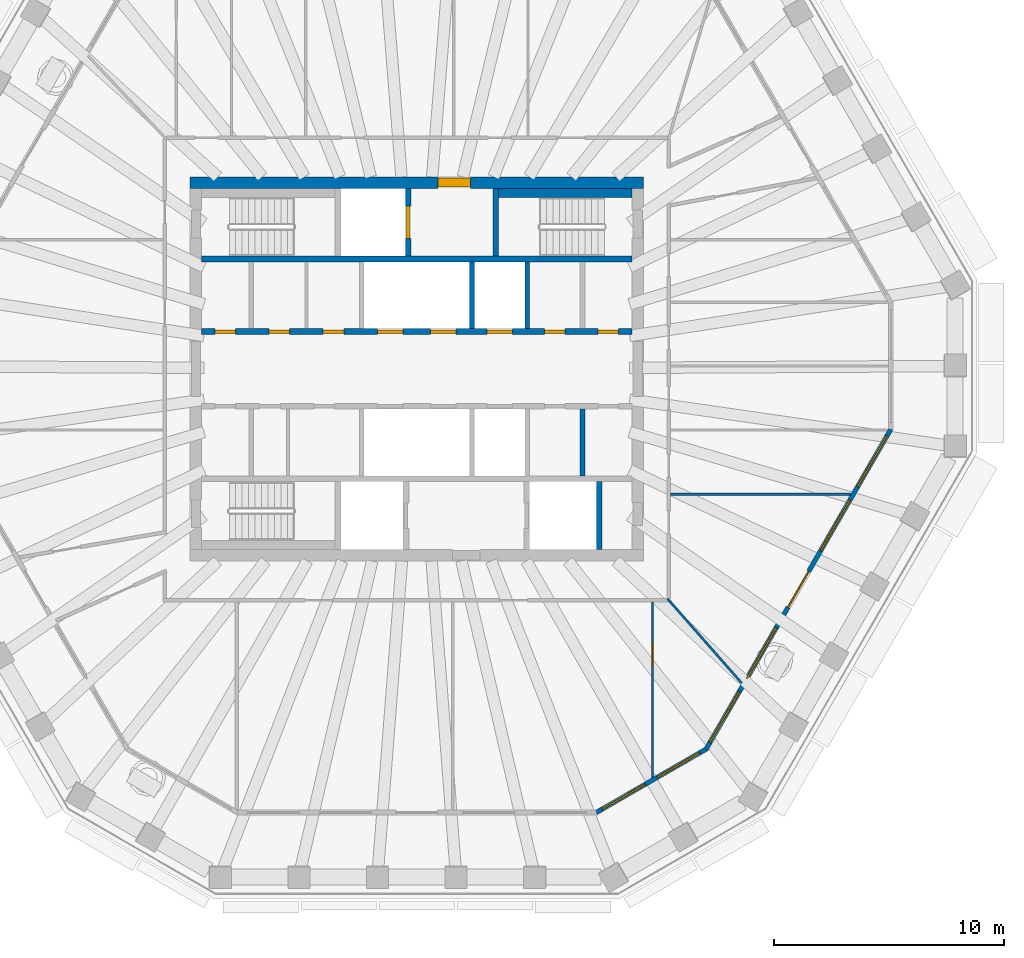
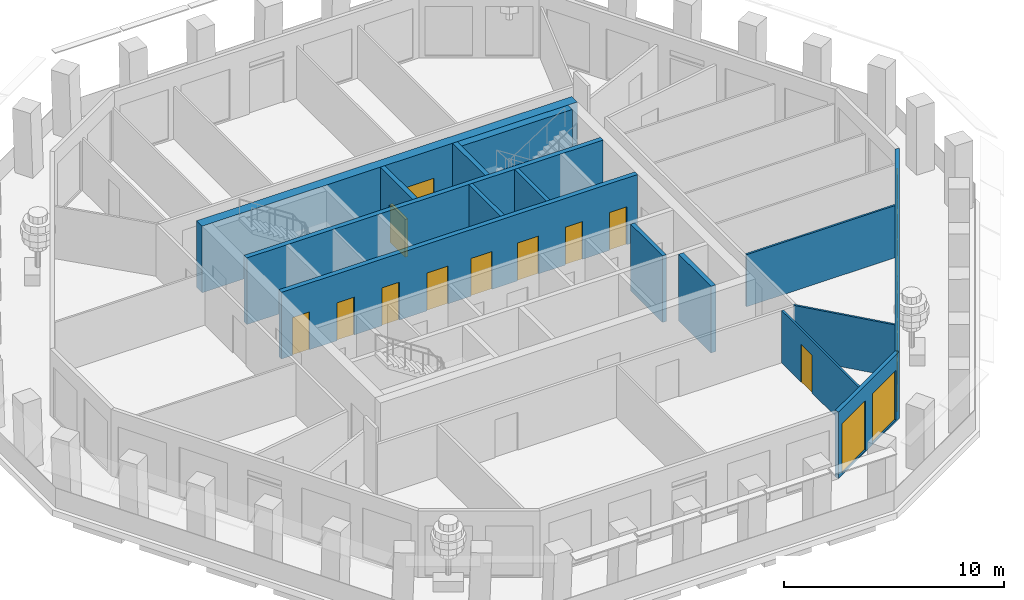
# One storey, part 5 of 12: 15 walls, 12 doors, 7 windows, 19 openings.
"""IFC4 building model written with IfcOpenShell, lengths in metres."""

from ifc_helpers import new_model, si_unit, direction, frame, frame_2d, origin, place, context, subcontext, project, spatial, polyline, rectangle, outline, extrude, material, layer, layer_set, type_object, element, fill, save


model = new_model("IFC4")

# Units and contexts
model_context = context("Model", 3, precision=1e-05, world=origin(), true_north=direction((0.0, 1.0)))
body_context = subcontext(model_context, "Body", "Model", "MODEL_VIEW")
ifc_project = project(units=[si_unit("LENGTHUNIT", "METRE"), si_unit("AREAUNIT", "SQUARE_METRE"), si_unit("VOLUMEUNIT", "CUBIC_METRE"), si_unit("PLANEANGLEUNIT", "RADIAN"), si_unit("MASSUNIT", "GRAM", prefix="KILO")], contexts=[model_context])

# Site, building, storey
site_placement = place(None, origin())
site = spatial("IfcSite", under=ifc_project, at=site_placement, CompositionType="ELEMENT")
building_placement = place(site_placement, origin())
building = spatial("IfcBuilding", under=site, at=building_placement, Name="Frailejon Research Tower", CompositionType="ELEMENT")
storey_placement = place(building_placement, frame((0.0, 0.0, 267.0)))
storey = spatial("IfcBuildingStorey", under=building, at=storey_placement, Name="L58", CompositionType="ELEMENT", Elevation=267.0)

# Wall, opening, door
ifc_material_1 = material(Name="Concrete C50/60", Category="concrete")
ifc_layer_1 = layer(ifc_material_1, 0.5)
ifc_layer_set_1 = layer_set([ifc_layer_1], Name="Core shear wall 500 C50/60")
wall_type_1 = type_object("IfcWallType", Name="Core shear wall 500 C50/60", PredefinedType="SHEAR", material=ifc_layer_set_1)
wall_1_placement = place(storey_placement, frame((-9.85009765625, 8.10009765625, 0.0), z_axis=(0.0, 0.0, 1.0), x_axis=(1.0, 0.0, 0.0)))
wall_1 = element("IfcWall", 1, at=wall_1_placement, inside=storey, type_object=wall_type_1, Name="Core shear wall", PredefinedType="SHEAR", context=body_context, shape_type="SweptSolid", body=[
    extrude(rectangle(XDim=19.7001953125, YDim=0.5, at=frame_2d((9.85009765625, 0.0))), origin(), (0.0, 0.0, 1.0), 3.699951171875),
])
opening_1_placement = place(wall_1_placement, frame((10.77490234375, 0.0, 0.0)))
opening_1 = element("IfcOpeningElement", 2, at=opening_1_placement, cuts=wall_1, Name="Opening D9", PredefinedType="OPENING", context=body_context, shape_type="SweptSolid", body=[
    extrude(rectangle(XDim=1.39990234375, YDim=2.10009765625, at=frame_2d((0.699951171875, 1.050048828125))), frame((0.0, 0.260009765625, 0.0), z_axis=(0.0, -1.0, 0.0), x_axis=(1.0, 0.0, 0.0)), (0.0, 0.0, 1.0), 0.52001953125),
])
ifc_material_2 = material(Name="Steel", Category="steel")
door_type_1 = type_object("IfcDoorType", Name="Goods lobby door", OperationType="DOUBLE_DOOR_SINGLE_SWING", PredefinedType="DOOR", material=ifc_material_2)
door_1_placement = place(opening_1_placement, origin())
door_1 = element("IfcDoor", 3, at=door_1_placement, inside=storey, type_object=door_type_1, Name="Goods lobby door", OperationType="DOUBLE_DOOR_SINGLE_SWING", OverallHeight=2.10009765625, OverallWidth=1.39990234375, PredefinedType="DOOR", context=body_context, shape_type="SweptSolid", body=[
    extrude(rectangle(XDim=1.39990234375, YDim=2.10009765625, at=frame_2d((0.699951171875, 1.050048828125))), frame((0.0, 0.199951171875, 0.0), z_axis=(0.0, -1.0, 0.0), x_axis=(1.0, 0.0, 0.0)), (0.0, 0.0, 1.0), 0.39990234375),
])
fill(opening_1, door_1)

ifc_material_3 = material(Name="Gypsum board and masonry partition", Category="masonry")
ifc_layer_2 = layer(ifc_material_3, 0.10009765625)
ifc_layer_set_2 = layer_set([ifc_layer_2], Name="Partition, gypsum on steel studs 100")
wall_type_2 = type_object("IfcWallType", Name="Partition, gypsum on steel studs 100", PredefinedType="PARTITIONING", material=ifc_layer_set_2)
wall_2_placement = place(storey_placement, frame((10.2392578125, -17.755615234375, 0.0), z_axis=(0.0, 0.0, 1.0), x_axis=(0.0, 1.0, 0.0)))
wall_2 = element("IfcWall", 4, at=wall_2_placement, inside=storey, type_object=wall_type_2, Name="T:IW:L58:026", PredefinedType="PARTITIONING", context=body_context, shape_type="SweptSolid", body=[
    extrude(rectangle(XDim=7.630615234375, YDim=0.10009765625, at=frame_2d((3.8154296875, 0.0))), origin(), (0.0, 0.0, 1.0), 2.89990234375),
])
opening_2_placement = place(wall_2_placement, frame((4.85400390625, 0.0, 0.0)))
opening_2 = element("IfcOpeningElement", 5, at=opening_2_placement, cuts=wall_2, Name="Opening D2127", PredefinedType="OPENING", context=body_context, shape_type="SweptSolid", body=[
    extrude(rectangle(XDim=1.0, YDim=2.10009765625, at=frame_2d((0.5, 1.050048828125))), frame((0.0, 0.06005859375, 0.0), z_axis=(0.0, -1.0, 0.0), x_axis=(1.0, 0.0, 0.0)), (0.0, 0.0, 1.0), 0.1201171875),
])
ifc_material_4 = material(Name="Timber door leaf", Category="wood")
door_type_2 = type_object("IfcDoorType", Name="Door single leaf, timber, steel frame 1000", OperationType="NOTDEFINED", PredefinedType="DOOR", material=ifc_material_4)
door_2_placement = place(opening_2_placement, origin())
door_2 = element("IfcDoor", 6, at=door_2_placement, inside=storey, type_object=door_type_2, Name="D2127", OperationType="SINGLE_SWING_RIGHT", OverallHeight=2.10009765625, OverallWidth=1.0, PredefinedType="DOOR", context=body_context, shape_type="SweptSolid", body=[
    extrude(rectangle(XDim=1.0, YDim=2.10009765625, at=frame_2d((0.5, 1.050048828125))), frame((0.0, 0.02490234375, 0.0), z_axis=(0.0, -1.0, 0.0), x_axis=(1.0, 0.0, 0.0)), (0.0, 0.0, 1.0), 0.050048828125),
])
fill(opening_2, door_2)

# Walls
wall_3_placement = place(storey_placement, frame((10.900390625, -9.99365234375, 0.0), z_axis=(0.0, 0.0, 1.0), x_axis=(0.660433464684, -0.75088457084, 0.0)))
element("IfcWall", 7, at=wall_3_placement, inside=storey, type_object=wall_type_2, Name="T:IW:L58:027", PredefinedType="PARTITIONING", context=body_context, shape_type="SweptSolid", body=[
    extrude(rectangle(XDim=4.869140625, YDim=0.10009765625, at=frame_2d((2.4345703125, 0.0))), origin(), (0.0, 0.0, 1.0), 2.89990234375),
])
wall_4_placement = place(storey_placement, frame((11.02490234375, -5.441650390625, 0.0), z_axis=(0.0, 0.0, 1.0), x_axis=(1.0, 0.0, 0.0)))
element("IfcWall", 8, at=wall_4_placement, inside=storey, type_object=wall_type_2, Name="T:IW:L58:028", PredefinedType="PARTITIONING", context=body_context, shape_type="SweptSolid", body=[
    extrude(rectangle(XDim=7.830322265625, YDim=0.10009765625, at=frame_2d((3.9150390625, 0.0))), origin(), (0.0, 0.0, 1.0), 2.89990234375),
])
ifc_material_5 = material(Name="Concrete C50/60", Category="concrete")
ifc_layer_3 = layer(ifc_material_5, 0.199951171875)
ifc_layer_set_3 = layer_set([ifc_layer_3], Name="Shaft wall 200 C50/60")
wall_type_3 = type_object("IfcWallType", Name="Shaft wall 200 C50/60", PredefinedType="SOLIDWALL", material=ifc_layer_set_3)
for number, where, z_axis, x_axis, name in (
    (9, (2.39990234375, 1.75, 0.0), (0.0, 0.0, 1.0), (0.0, 1.0, 0.0), "Shaft wall"),
    (10, (4.800048828125, 1.75, 0.0), (0.0, 0.0, 1.0), (0.0, 1.0, 0.0), "Shaft wall"),
    (11, (7.199951171875, -4.64990234375, 0.0), (0.0, 0.0, 1.0), (0.0, 1.0, 0.0), "Shaft wall"),
):
    element("IfcWall", number, at=place(storey_placement, frame(where, z_axis=z_axis, x_axis=x_axis)), inside=storey, type_object=wall_type_3, Name=name, PredefinedType="SOLIDWALL", context=body_context, shape_type="SweptSolid", body=[
        extrude(rectangle(XDim=2.89990234375, YDim=0.199951171875, at=frame_2d((1.449951171875, 0.0))), origin(), (0.0, 0.0, 1.0), 3.699951171875),
    ])

# Wall, openings, doors
ifc_material_6 = material(Name="Concrete C50/60", Category="concrete")
ifc_layer_4 = layer(ifc_material_6, 0.25)
ifc_layer_set_4 = layer_set([ifc_layer_4], Name="Shaft wall 250 C50/60")
wall_type_4 = type_object("IfcWallType", Name="Shaft wall 250 C50/60", PredefinedType="SOLIDWALL", material=ifc_layer_set_4)
wall_5_placement = place(storey_placement, frame((-9.35009765625, 1.625, 0.0), z_axis=(0.0, 0.0, 1.0), x_axis=(1.0, 0.0, 0.0)))
wall_5 = element("IfcWall", 12, at=wall_5_placement, inside=storey, type_object=wall_type_4, Name="Shaft wall", PredefinedType="SOLIDWALL", context=body_context, shape_type="SweptSolid", body=[
    extrude(rectangle(XDim=18.7001953125, YDim=0.25, at=frame_2d((9.35009765625, 0.0))), origin(), (0.0, 0.0, 1.0), 3.699951171875),
])
opening_3_placement = place(wall_5_placement, frame((7.64990234375, 0.0, 0.0)))
opening_3 = element("IfcOpeningElement", 13, at=opening_3_placement, cuts=wall_5, Name="Opening LD", PredefinedType="OPENING", context=body_context, shape_type="SweptSolid", body=[
    extrude(rectangle(XDim=1.10009765625, YDim=2.10009765625, at=frame_2d((0.550048828125, 1.050048828125))), frame((0.0, 0.135009765625, 0.0), z_axis=(0.0, -1.0, 0.0), x_axis=(1.0, 0.0, 0.0)), (0.0, 0.0, 1.0), 0.27001953125),
])
opening_4_placement = place(wall_5_placement, frame((9.949951171875, 0.0, 0.0)))
opening_4 = element("IfcOpeningElement", 14, at=opening_4_placement, cuts=wall_5, Name="Opening LD", PredefinedType="OPENING", context=body_context, shape_type="SweptSolid", body=[
    extrude(rectangle(XDim=1.10009765625, YDim=2.10009765625, at=frame_2d((0.550048828125, 1.050048828125))), frame((0.0, 0.135009765625, 0.0), z_axis=(0.0, -1.0, 0.0), x_axis=(1.0, 0.0, 0.0)), (0.0, 0.0, 1.0), 0.27001953125),
])
opening_5_placement = place(wall_5_placement, frame((12.39990234375, 0.0, 0.0)))
opening_5 = element("IfcOpeningElement", 15, at=opening_5_placement, cuts=wall_5, Name="Opening LD", PredefinedType="OPENING", context=body_context, shape_type="SweptSolid", body=[
    extrude(rectangle(XDim=1.10009765625, YDim=2.10009765625, at=frame_2d((0.550048828125, 1.050048828125))), frame((0.0, 0.135009765625, 0.0), z_axis=(0.0, -1.0, 0.0), x_axis=(1.0, 0.0, 0.0)), (0.0, 0.0, 1.0), 0.27001953125),
])
opening_6_placement = place(wall_5_placement, frame((0.574951171875, 0.0, 0.0)))
opening_6 = element("IfcOpeningElement", 16, at=opening_6_placement, cuts=wall_5, Name="Opening D8", PredefinedType="OPENING", context=body_context, shape_type="SweptSolid", body=[
    extrude(rectangle(XDim=0.89990234375, YDim=2.10009765625, at=frame_2d((0.449951171875, 1.050048828125))), frame((0.0, 0.135009765625, 0.0), z_axis=(0.0, -1.0, 0.0), x_axis=(1.0, 0.0, 0.0)), (0.0, 0.0, 1.0), 0.27001953125),
])
opening_7_placement = place(wall_5_placement, frame((2.918701171875, 0.0, 0.0)))
opening_7 = element("IfcOpeningElement", 17, at=opening_7_placement, cuts=wall_5, Name="Opening D8", PredefinedType="OPENING", context=body_context, shape_type="SweptSolid", body=[
    extrude(rectangle(XDim=0.89990234375, YDim=2.10009765625, at=frame_2d((0.449951171875, 1.050048828125))), frame((0.0, 0.135009765625, 0.0), z_axis=(0.0, -1.0, 0.0), x_axis=(1.0, 0.0, 0.0)), (0.0, 0.0, 1.0), 0.27001953125),
])
opening_8_placement = place(wall_5_placement, frame((5.28125, 0.0, 0.0)))
opening_8 = element("IfcOpeningElement", 18, at=opening_8_placement, cuts=wall_5, Name="Opening D8", PredefinedType="OPENING", context=body_context, shape_type="SweptSolid", body=[
    extrude(rectangle(XDim=0.89990234375, YDim=2.10009765625, at=frame_2d((0.449951171875, 1.050048828125))), frame((0.0, 0.135009765625, 0.0), z_axis=(0.0, -1.0, 0.0), x_axis=(1.0, 0.0, 0.0)), (0.0, 0.0, 1.0), 0.27001953125),
])
opening_9_placement = place(wall_5_placement, frame((14.89990234375, 0.0, 0.0)))
opening_9 = element("IfcOpeningElement", 19, at=opening_9_placement, cuts=wall_5, Name="Opening D8", PredefinedType="OPENING", context=body_context, shape_type="SweptSolid", body=[
    extrude(rectangle(XDim=0.89990234375, YDim=2.10009765625, at=frame_2d((0.449951171875, 1.050048828125))), frame((0.0, 0.135009765625, 0.0), z_axis=(0.0, -1.0, 0.0), x_axis=(1.0, 0.0, 0.0)), (0.0, 0.0, 1.0), 0.27001953125),
])
opening_10_placement = place(wall_5_placement, frame((17.22509765625, 0.0, 0.0)))
opening_10 = element("IfcOpeningElement", 20, at=opening_10_placement, cuts=wall_5, Name="Opening D8", PredefinedType="OPENING", context=body_context, shape_type="SweptSolid", body=[
    extrude(rectangle(XDim=0.89990234375, YDim=2.10009765625, at=frame_2d((0.449951171875, 1.050048828125))), frame((0.0, 0.135009765625, 0.0), z_axis=(0.0, -1.0, 0.0), x_axis=(1.0, 0.0, 0.0)), (0.0, 0.0, 1.0), 0.27001953125),
])
ifc_material_7 = material(Name="Steel", Category="steel")
door_type_3 = type_object("IfcDoorType", Name="Core room door", OperationType="SINGLE_SWING_LEFT", PredefinedType="DOOR", material=ifc_material_7)
door_3_placement = place(opening_6_placement, origin())
door_3 = element("IfcDoor", 21, at=door_3_placement, inside=storey, type_object=door_type_3, Name="Room door", OperationType="SINGLE_SWING_RIGHT", OverallHeight=2.10009765625, OverallWidth=0.89990234375, PredefinedType="DOOR", context=body_context, shape_type="SweptSolid", body=[
    extrude(rectangle(XDim=0.89990234375, YDim=2.10009765625, at=frame_2d((0.449951171875, 1.050048828125))), frame((0.0, 0.074951171875, 0.0), z_axis=(0.0, -1.0, 0.0), x_axis=(1.0, 0.0, 0.0)), (0.0, 0.0, 1.0), 0.14990234375),
])
fill(opening_6, door_3)
door_4_placement = place(opening_7_placement, origin())
door_4 = element("IfcDoor", 22, at=door_4_placement, inside=storey, type_object=door_type_3, Name="Room door", OperationType="SINGLE_SWING_LEFT", OverallHeight=2.10009765625, OverallWidth=0.89990234375, PredefinedType="DOOR", context=body_context, shape_type="SweptSolid", body=[
    extrude(rectangle(XDim=0.89990234375, YDim=2.10009765625, at=frame_2d((0.449951171875, 1.050048828125))), frame((0.0, 0.074951171875, 0.0), z_axis=(0.0, -1.0, 0.0), x_axis=(1.0, 0.0, 0.0)), (0.0, 0.0, 1.0), 0.14990234375),
])
fill(opening_7, door_4)
door_5_placement = place(opening_8_placement, origin())
door_5 = element("IfcDoor", 23, at=door_5_placement, inside=storey, type_object=door_type_3, Name="Room door", OperationType="SINGLE_SWING_RIGHT", OverallHeight=2.10009765625, OverallWidth=0.89990234375, PredefinedType="DOOR", context=body_context, shape_type="SweptSolid", body=[
    extrude(rectangle(XDim=0.89990234375, YDim=2.10009765625, at=frame_2d((0.449951171875, 1.050048828125))), frame((0.0, 0.074951171875, 0.0), z_axis=(0.0, -1.0, 0.0), x_axis=(1.0, 0.0, 0.0)), (0.0, 0.0, 1.0), 0.14990234375),
])
fill(opening_8, door_5)
door_6_placement = place(opening_9_placement, origin())
door_6 = element("IfcDoor", 24, at=door_6_placement, inside=storey, type_object=door_type_3, Name="Room door", OperationType="SINGLE_SWING_LEFT", OverallHeight=2.10009765625, OverallWidth=0.89990234375, PredefinedType="DOOR", context=body_context, shape_type="SweptSolid", body=[
    extrude(rectangle(XDim=0.89990234375, YDim=2.10009765625, at=frame_2d((0.449951171875, 1.050048828125))), frame((0.0, 0.074951171875, 0.0), z_axis=(0.0, -1.0, 0.0), x_axis=(1.0, 0.0, 0.0)), (0.0, 0.0, 1.0), 0.14990234375),
])
fill(opening_9, door_6)
door_7_placement = place(opening_10_placement, origin())
door_7 = element("IfcDoor", 25, at=door_7_placement, inside=storey, type_object=door_type_3, Name="Room door", OperationType="SINGLE_SWING_RIGHT", OverallHeight=2.10009765625, OverallWidth=0.89990234375, PredefinedType="DOOR", context=body_context, shape_type="SweptSolid", body=[
    extrude(rectangle(XDim=0.89990234375, YDim=2.10009765625, at=frame_2d((0.449951171875, 1.050048828125))), frame((0.0, 0.074951171875, 0.0), z_axis=(0.0, -1.0, 0.0), x_axis=(1.0, 0.0, 0.0)), (0.0, 0.0, 1.0), 0.14990234375),
])
fill(opening_10, door_7)
ifc_material_8 = material(Name="Steel", Category="steel")
door_type_4 = type_object("IfcDoorType", Name="Lift landing door", OperationType="DOUBLE_DOOR_SLIDING", PredefinedType="DOOR", material=ifc_material_8)
door_8_placement = place(opening_3_placement, origin())
door_8 = element("IfcDoor", 26, at=door_8_placement, inside=storey, type_object=door_type_4, Name="Lift landing door", OperationType="DOUBLE_DOOR_SLIDING", OverallHeight=2.10009765625, OverallWidth=1.10009765625, PredefinedType="DOOR", context=body_context, shape_type="SweptSolid", body=[
    extrude(rectangle(XDim=1.10009765625, YDim=2.10009765625, at=frame_2d((0.550048828125, 1.050048828125))), frame((0.0, 0.074951171875, 0.0), z_axis=(0.0, -1.0, 0.0), x_axis=(1.0, 0.0, 0.0)), (0.0, 0.0, 1.0), 0.14990234375),
])
fill(opening_3, door_8)
door_9_placement = place(opening_4_placement, origin())
door_9 = element("IfcDoor", 27, at=door_9_placement, inside=storey, type_object=door_type_4, Name="Lift landing door", OperationType="DOUBLE_DOOR_SLIDING", OverallHeight=2.10009765625, OverallWidth=1.10009765625, PredefinedType="DOOR", context=body_context, shape_type="SweptSolid", body=[
    extrude(rectangle(XDim=1.10009765625, YDim=2.10009765625, at=frame_2d((0.550048828125, 1.050048828125))), frame((0.0, 0.074951171875, 0.0), z_axis=(0.0, -1.0, 0.0), x_axis=(1.0, 0.0, 0.0)), (0.0, 0.0, 1.0), 0.14990234375),
])
fill(opening_4, door_9)
door_10_placement = place(opening_5_placement, origin())
door_10 = element("IfcDoor", 28, at=door_10_placement, inside=storey, type_object=door_type_4, Name="Lift landing door", OperationType="DOUBLE_DOOR_SLIDING", OverallHeight=2.10009765625, OverallWidth=1.10009765625, PredefinedType="DOOR", context=body_context, shape_type="SweptSolid", body=[
    extrude(rectangle(XDim=1.10009765625, YDim=2.10009765625, at=frame_2d((0.550048828125, 1.050048828125))), frame((0.0, 0.074951171875, 0.0), z_axis=(0.0, -1.0, 0.0), x_axis=(1.0, 0.0, 0.0)), (0.0, 0.0, 1.0), 0.14990234375),
])
fill(opening_5, door_10)

# Wall
wall_6_placement = place(storey_placement, frame((-9.35009765625, 4.77490234375, 0.0), z_axis=(0.0, 0.0, 1.0), x_axis=(1.0, 0.0, 0.0)))
element("IfcWall", 29, at=wall_6_placement, inside=storey, type_object=wall_type_4, Name="Shaft wall", PredefinedType="SOLIDWALL", context=body_context, shape_type="SweptSolid", body=[
    extrude(rectangle(XDim=18.7001953125, YDim=0.25, at=frame_2d((9.35009765625, 0.0))), origin(), (0.0, 0.0, 1.0), 3.699951171875),
])

# Wall, opening, door
wall_7_placement = place(storey_placement, frame((-0.375, 4.89990234375, 0.0), z_axis=(0.0, 0.0, 1.0), x_axis=(0.0, 1.0, 0.0)))
wall_7 = element("IfcWall", 30, at=wall_7_placement, inside=storey, type_object=wall_type_4, Name="Shaft wall", PredefinedType="SOLIDWALL", context=body_context, shape_type="SweptSolid", body=[
    extrude(rectangle(XDim=2.9501953125, YDim=0.25, at=frame_2d((1.47509765625, 0.0))), origin(), (0.0, 0.0, 1.0), 3.699951171875),
])
opening_11_placement = place(wall_7_placement, frame((0.77490234375, 0.0, 0.0)))
opening_11 = element("IfcOpeningElement", 31, at=opening_11_placement, cuts=wall_7, Name="Opening LD2", PredefinedType="OPENING", context=body_context, shape_type="SweptSolid", body=[
    extrude(rectangle(XDim=1.39990234375, YDim=2.10009765625, at=frame_2d((0.699951171875, 1.050048828125))), frame((0.0, 0.135009765625, 0.0), z_axis=(0.0, -1.0, 0.0), x_axis=(1.0, 0.0, 0.0)), (0.0, 0.0, 1.0), 0.27001953125),
])
ifc_material_9 = material(Name="Stainless steel", Category="steel")
door_type_5 = type_object("IfcDoorType", Name="Goods landing door", OperationType="DOUBLE_DOOR_SLIDING", PredefinedType="DOOR", material=ifc_material_9)
door_11_placement = place(opening_11_placement, origin())
door_11 = element("IfcDoor", 32, at=door_11_placement, inside=storey, type_object=door_type_5, Name="Lift landing door", OperationType="DOUBLE_DOOR_SLIDING", OverallHeight=2.10009765625, OverallWidth=1.39990234375, PredefinedType="DOOR", context=body_context, shape_type="SweptSolid", body=[
    extrude(rectangle(XDim=1.39990234375, YDim=2.10009765625, at=frame_2d((0.699951171875, 1.050048828125))), frame((0.0, 0.074951171875, 0.0), z_axis=(0.0, -1.0, 0.0), x_axis=(1.0, 0.0, 0.0)), (0.0, 0.0, 1.0), 0.14990234375),
])
fill(opening_11, door_11)

# Walls
for number, where, z_axis, x_axis, name in (
    (33, (3.425048828125, 4.89990234375, 0.0), (0.0, 0.0, 1.0), (0.0, 1.0, 0.0), "Shaft wall"),
    (34, (7.925048828125, -7.85009765625, 0.0), (0.0, 0.0, 1.0), (0.0, 1.0, 0.0), "Shaft wall"),
):
    element("IfcWall", number, at=place(storey_placement, frame(where, z_axis=z_axis, x_axis=x_axis)), inside=storey, type_object=wall_type_4, Name=name, PredefinedType="SOLIDWALL", context=body_context, shape_type="SweptSolid", body=[
        extrude(rectangle(XDim=2.9501953125, YDim=0.25, at=frame_2d((1.47509765625, 0.0))), origin(), (0.0, 0.0, 1.0), 3.699951171875),
    ])
ifc_material_10 = material(Name="Concrete C50/60", Category="concrete")
ifc_layer_5 = layer(ifc_material_10, 0.39990234375)
ifc_layer_set_5 = layer_set([ifc_layer_5], Name="Shaft wall 400 C50/60")
wall_type_5 = type_object("IfcWallType", Name="Shaft wall 400 C50/60", PredefinedType="SOLIDWALL", material=ifc_layer_set_5)
wall_8_placement = place(storey_placement, frame((3.550048828125, 7.64990234375, 0.0), z_axis=(0.0, 0.0, 1.0), x_axis=(1.0, 0.0, 0.0)))
element("IfcWall", 35, at=wall_8_placement, inside=storey, type_object=wall_type_5, Name="Shaft wall", PredefinedType="SOLIDWALL", context=body_context, shape_type="SweptSolid", body=[
    extrude(rectangle(XDim=5.800048828125, YDim=0.39990234375, at=frame_2d((2.89990234375, 0.0))), origin(), (0.0, 0.0, 1.0), 3.699951171875),
])

# Wall, openings, windows
ifc_material_11 = material(Name="Concrete C40/50 precast window wall panel", Category="concrete")
ifc_layer_6 = layer(ifc_material_11, 0.199951171875)
ifc_layer_set_6 = layer_set([ifc_layer_6], Name="Window wall 200")
wall_type_6 = type_object("IfcWallType", Name="Window wall 200", PredefinedType="SOLIDWALL", material=ifc_layer_set_6)
wall_9_placement = place(storey_placement, frame((7.806396484375, -19.275634765625, 0.0), z_axis=(0.0, 0.0, 1.0), x_axis=(0.866026017613, 0.499998936816, 0.0)))
wall_9 = element("IfcWall", 36, at=wall_9_placement, inside=storey, type_object=wall_type_6, Name="Exterior wall L58", PredefinedType="SOLIDWALL", context=body_context, shape_type="SweptSolid", body=[
    extrude(outline(polyline([(-0.02685546875, -0.10009765625), (1.08447265625, -0.10009765625), (2.196044921875, -0.10009765625), (3.307373046875, -0.10009765625), (4.4189453125, -0.10009765625), (5.5302734375, -0.10009765625), (5.4765625, 0.10009765625), (4.38671875, 0.10009765625), (3.296630859375, 0.10009765625), (2.206787109375, 0.10009765625), (1.11669921875, 0.10009765625), (0.02685546875, 0.10009765625), (-0.02685546875, -0.10009765625)])), origin(), (0.0, 0.0, 1.0), 3.699951171875),
])
opening_12_placement = place(wall_9_placement, frame((0.30078125, 0.0, 0.10009765625)))
opening_12 = element("IfcOpeningElement", 37, at=opening_12_placement, cuts=wall_9, Name="Opening W22", PredefinedType="OPENING", context=body_context, shape_type="SweptSolid", body=[
    extrude(rectangle(XDim=2.14990234375, YDim=2.75, at=frame_2d((1.074951171875, 1.375))), frame((0.0, 0.10986328125, 0.0), z_axis=(0.0, -1.0, 0.0), x_axis=(1.0, 0.0, 0.0)), (0.0, 0.0, 1.0), 0.219970703125),
])
opening_13_placement = place(wall_9_placement, frame((3.052490234375, 0.0, 0.10009765625)))
opening_13 = element("IfcOpeningElement", 38, at=opening_13_placement, cuts=wall_9, Name="Opening W22", PredefinedType="OPENING", context=body_context, shape_type="SweptSolid", body=[
    extrude(rectangle(XDim=2.14990234375, YDim=2.75, at=frame_2d((1.074951171875, 1.375))), frame((0.0, 0.10986328125, 0.0), z_axis=(0.0, -1.0, 0.0), x_axis=(1.0, 0.0, 0.0)), (0.0, 0.0, 1.0), 0.219970703125),
])
ifc_material_12 = material(Name="Aluminium framed double glazing", Category="aluminium")
window_type_1 = type_object("IfcWindowType", Name="Window 2150x2750", PartitioningType="SINGLE_PANEL", PredefinedType="WINDOW", material=ifc_material_12)
window_1_placement = place(opening_12_placement, origin())
window_1 = element("IfcWindow", 39, at=window_1_placement, inside=storey, type_object=window_type_1, Name="Window L58", OverallHeight=2.75, OverallWidth=2.14990234375, PartitioningType="SINGLE_PANEL", PredefinedType="WINDOW", context=body_context, shape_type="SweptSolid", body=[
    extrude(rectangle(XDim=2.14990234375, YDim=2.75, at=frame_2d((1.074951171875, 1.375))), frame((0.0, 0.030029296875, 0.0), z_axis=(0.0, -1.0, 0.0), x_axis=(1.0, 0.0, 0.0)), (0.0, 0.0, 1.0), 0.06005859375),
])
fill(opening_12, window_1)
window_2_placement = place(opening_13_placement, origin())
window_2 = element("IfcWindow", 40, at=window_2_placement, inside=storey, type_object=window_type_1, Name="Window L58", OverallHeight=2.75, OverallWidth=2.14990234375, PartitioningType="SINGLE_PANEL", PredefinedType="WINDOW", context=body_context, shape_type="SweptSolid", body=[
    extrude(rectangle(XDim=2.14990234375, YDim=2.75, at=frame_2d((1.074951171875, 1.375))), frame((0.0, 0.030029296875, 0.0), z_axis=(0.0, -1.0, 0.0), x_axis=(1.0, 0.0, 0.0)), (0.0, 0.0, 1.0), 0.06005859375),
])
fill(opening_13, window_2)

# Wall, openings, door, windows
wall_10_placement = place(storey_placement, frame((12.572509765625, -16.52392578125, 0.0), z_axis=(0.0, 0.0, 1.0), x_axis=(0.499997245374, 0.866026994163, 0.0)))
wall_10 = element("IfcWall", 41, at=wall_10_placement, inside=storey, type_object=wall_type_6, Name="Exterior wall L58", PredefinedType="SOLIDWALL", context=body_context, shape_type="SweptSolid", body=[
    extrude(outline(polyline([(-0.02685546875, -0.10009765625), (0.9794921875, -0.10009765625), (1.98583984375, -0.10009765625), (2.9921875, -0.10009765625), (3.99853515625, -0.10009765625), (5.0048828125, -0.10009765625), (6.01123046875, -0.10009765625), (7.017578125, -0.10009765625), (8.02392578125, -0.10009765625), (9.0302734375, -0.10009765625), (10.03662109375, -0.10009765625), (11.04296875, -0.10009765625), (12.04931640625, -0.10009765625), (13.0556640625, -0.10009765625), (14.06201171875, -0.10009765625), (15.068359375, -0.10009765625), (16.07470703125, -0.10009765625), (16.02099609375, 0.10009765625), (15.021484375, 0.10009765625), (14.021728515625, 0.10009765625), (13.02197265625, 0.10009765625), (12.0224609375, 0.10009765625), (11.02294921875, 0.10009765625), (10.023193359375, 0.10009765625), (9.0234375, 0.10009765625), (8.02392578125, 0.10009765625), (7.0244140625, 0.10009765625), (6.024658203125, 0.10009765625), (5.02490234375, 0.10009765625), (4.025390625, 0.10009765625), (3.02587890625, 0.10009765625), (2.026123046875, 0.10009765625), (1.0263671875, 0.10009765625), (0.02685546875, 0.10009765625), (-0.02685546875, -0.10009765625)])), origin(), (0.0, 0.0, 1.0), 3.699951171875),
])
opening_14_placement = place(wall_10_placement, frame((0.329833984375, 0.0, 0.10009765625)))
opening_14 = element("IfcOpeningElement", 42, at=opening_14_placement, cuts=wall_10, Name="Opening W25", PredefinedType="OPENING", context=body_context, shape_type="SweptSolid", body=[
    extrude(rectangle(XDim=2.550048828125, YDim=2.75, at=frame_2d((1.27490234375, 1.375))), frame((0.0, 0.10986328125, 0.0), z_axis=(0.0, -1.0, 0.0), x_axis=(1.0, 0.0, 0.0)), (0.0, 0.0, 1.0), 0.219970703125),
])
opening_15_placement = place(wall_10_placement, frame((3.539306640625, 0.0, 0.10009765625)))
opening_15 = element("IfcOpeningElement", 43, at=opening_15_placement, cuts=wall_10, Name="Opening W25", PredefinedType="OPENING", context=body_context, shape_type="SweptSolid", body=[
    extrude(rectangle(XDim=2.550048828125, YDim=2.75, at=frame_2d((1.27490234375, 1.375))), frame((0.0, 0.10986328125, 0.0), z_axis=(0.0, -1.0, 0.0), x_axis=(1.0, 0.0, 0.0)), (0.0, 0.0, 1.0), 0.219970703125),
])
opening_16_placement = place(wall_10_placement, frame((7.1240234375, 0.0, 0.0)))
opening_16 = element("IfcOpeningElement", 44, at=opening_16_placement, cuts=wall_10, Name="Opening LG58-6", PredefinedType="OPENING", context=body_context, shape_type="SweptSolid", body=[
    extrude(rectangle(XDim=1.800048828125, YDim=2.39990234375, at=frame_2d((0.89990234375, 1.199951171875))), frame((0.0, 0.10986328125, 0.0), z_axis=(0.0, -1.0, 0.0), x_axis=(1.0, 0.0, 0.0)), (0.0, 0.0, 1.0), 0.219970703125),
])
opening_17_placement = place(wall_10_placement, frame((7.1240234375, 0.0, 2.550048828125)))
opening_17 = element("IfcOpeningElement", 45, at=opening_17_placement, cuts=wall_10, Name="Opening W24", PredefinedType="OPENING", context=body_context, shape_type="SweptSolid", body=[
    extrude(rectangle(XDim=1.800048828125, YDim=0.300048828125, at=frame_2d((0.89990234375, 0.14990234375))), frame((0.0, 0.10986328125, 0.0), z_axis=(0.0, -1.0, 0.0), x_axis=(1.0, 0.0, 0.0)), (0.0, 0.0, 1.0), 0.219970703125),
])
opening_18_placement = place(wall_10_placement, frame((9.95849609375, 0.0, 0.10009765625)))
opening_18 = element("IfcOpeningElement", 46, at=opening_18_placement, cuts=wall_10, Name="Opening W25", PredefinedType="OPENING", context=body_context, shape_type="SweptSolid", body=[
    extrude(rectangle(XDim=2.550048828125, YDim=2.75, at=frame_2d((1.27490234375, 1.375))), frame((0.0, 0.10986328125, 0.0), z_axis=(0.0, -1.0, 0.0), x_axis=(1.0, 0.0, 0.0)), (0.0, 0.0, 1.0), 0.219970703125),
])
opening_19_placement = place(wall_10_placement, frame((13.168212890625, 0.0, 0.10009765625)))
opening_19 = element("IfcOpeningElement", 47, at=opening_19_placement, cuts=wall_10, Name="Opening W25", PredefinedType="OPENING", context=body_context, shape_type="SweptSolid", body=[
    extrude(rectangle(XDim=2.550048828125, YDim=2.75, at=frame_2d((1.27490234375, 1.375))), frame((0.0, 0.10986328125, 0.0), z_axis=(0.0, -1.0, 0.0), x_axis=(1.0, 0.0, 0.0)), (0.0, 0.0, 1.0), 0.219970703125),
])
ifc_material_13 = material(Name="Aluminium framed glazed door leaf", Category="aluminium")
door_type_6 = type_object("IfcDoorType", Name="Loggia door 1800x2400", OperationType="DOUBLE_DOOR_SINGLE_SWING", PredefinedType="DOOR", material=ifc_material_13)
door_12_placement = place(opening_16_placement, origin())
door_12 = element("IfcDoor", 48, at=door_12_placement, inside=storey, type_object=door_type_6, Name="Door LG58-6", OperationType="DOUBLE_DOOR_SINGLE_SWING", OverallHeight=2.39990234375, OverallWidth=1.800048828125, PredefinedType="DOOR", context=body_context, shape_type="SweptSolid", body=[
    extrude(rectangle(XDim=1.800048828125, YDim=2.39990234375, at=frame_2d((0.89990234375, 1.199951171875))), frame((0.0, 0.02490234375, 0.0), z_axis=(0.0, -1.0, 0.0), x_axis=(1.0, 0.0, 0.0)), (0.0, 0.0, 1.0), 0.050048828125),
])
fill(opening_16, door_12)
ifc_material_14 = material(Name="Aluminium framed double glazing", Category="aluminium")
window_type_2 = type_object("IfcWindowType", Name="Window 1800x300", PartitioningType="SINGLE_PANEL", PredefinedType="WINDOW", material=ifc_material_14)
window_3_placement = place(opening_17_placement, origin())
window_3 = element("IfcWindow", 49, at=window_3_placement, inside=storey, type_object=window_type_2, Name="Window L58", OverallHeight=0.300048828125, OverallWidth=1.800048828125, PartitioningType="SINGLE_PANEL", PredefinedType="WINDOW", context=body_context, shape_type="SweptSolid", body=[
    extrude(rectangle(XDim=1.800048828125, YDim=0.300048828125, at=frame_2d((0.89990234375, 0.14990234375))), frame((0.0, 0.030029296875, 0.0), z_axis=(0.0, -1.0, 0.0), x_axis=(1.0, 0.0, 0.0)), (0.0, 0.0, 1.0), 0.06005859375),
])
fill(opening_17, window_3)
ifc_material_15 = material(Name="Aluminium framed double glazing", Category="aluminium")
window_type_3 = type_object("IfcWindowType", Name="Window 2550x2750", PartitioningType="SINGLE_PANEL", PredefinedType="WINDOW", material=ifc_material_15)
window_4_placement = place(opening_14_placement, origin())
window_4 = element("IfcWindow", 50, at=window_4_placement, inside=storey, type_object=window_type_3, Name="Window L58", OverallHeight=2.75, OverallWidth=2.550048828125, PartitioningType="SINGLE_PANEL", PredefinedType="WINDOW", context=body_context, shape_type="SweptSolid", body=[
    extrude(rectangle(XDim=2.550048828125, YDim=2.75, at=frame_2d((1.27490234375, 1.375))), frame((0.0, 0.030029296875, 0.0), z_axis=(0.0, -1.0, 0.0), x_axis=(1.0, 0.0, 0.0)), (0.0, 0.0, 1.0), 0.06005859375),
])
fill(opening_14, window_4)
window_5_placement = place(opening_15_placement, origin())
window_5 = element("IfcWindow", 51, at=window_5_placement, inside=storey, type_object=window_type_3, Name="Window L58", OverallHeight=2.75, OverallWidth=2.550048828125, PartitioningType="SINGLE_PANEL", PredefinedType="WINDOW", context=body_context, shape_type="SweptSolid", body=[
    extrude(rectangle(XDim=2.550048828125, YDim=2.75, at=frame_2d((1.27490234375, 1.375))), frame((0.0, 0.030029296875, 0.0), z_axis=(0.0, -1.0, 0.0), x_axis=(1.0, 0.0, 0.0)), (0.0, 0.0, 1.0), 0.06005859375),
])
fill(opening_15, window_5)
window_6_placement = place(opening_18_placement, origin())
window_6 = element("IfcWindow", 52, at=window_6_placement, inside=storey, type_object=window_type_3, Name="Window L58", OverallHeight=2.75, OverallWidth=2.550048828125, PartitioningType="SINGLE_PANEL", PredefinedType="WINDOW", context=body_context, shape_type="SweptSolid", body=[
    extrude(rectangle(XDim=2.550048828125, YDim=2.75, at=frame_2d((1.27490234375, 1.375))), frame((0.0, 0.030029296875, 0.0), z_axis=(0.0, -1.0, 0.0), x_axis=(1.0, 0.0, 0.0)), (0.0, 0.0, 1.0), 0.06005859375),
])
fill(opening_18, window_6)
window_7_placement = place(opening_19_placement, origin())
window_7 = element("IfcWindow", 53, at=window_7_placement, inside=storey, type_object=window_type_3, Name="Window L58", OverallHeight=2.75, OverallWidth=2.550048828125, PartitioningType="SINGLE_PANEL", PredefinedType="WINDOW", context=body_context, shape_type="SweptSolid", body=[
    extrude(rectangle(XDim=2.550048828125, YDim=2.75, at=frame_2d((1.27490234375, 1.375))), frame((0.0, 0.030029296875, 0.0), z_axis=(0.0, -1.0, 0.0), x_axis=(1.0, 0.0, 0.0)), (0.0, 0.0, 1.0), 0.06005859375),
])
fill(opening_19, window_7)

save(model, "model.ifc")
